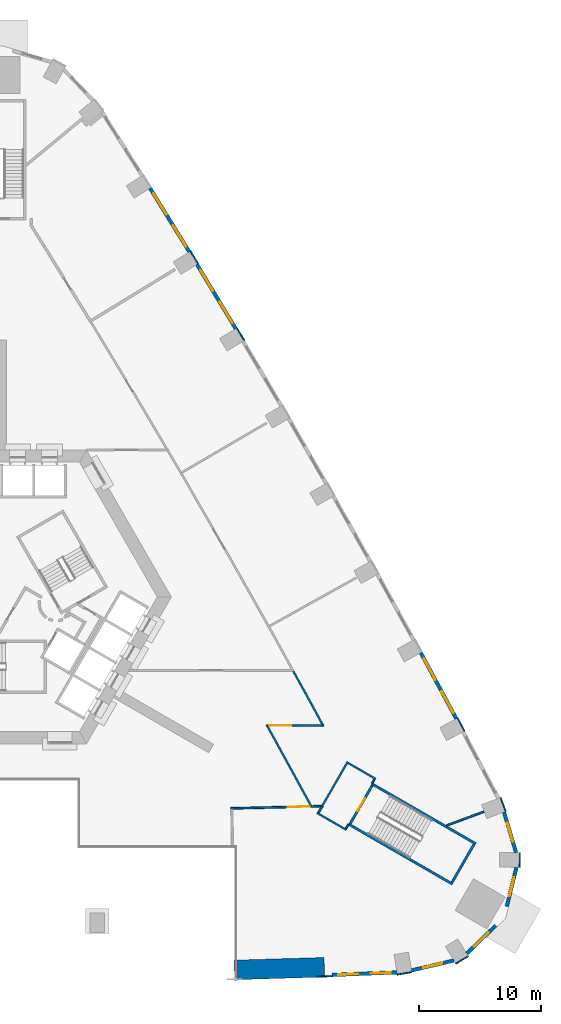
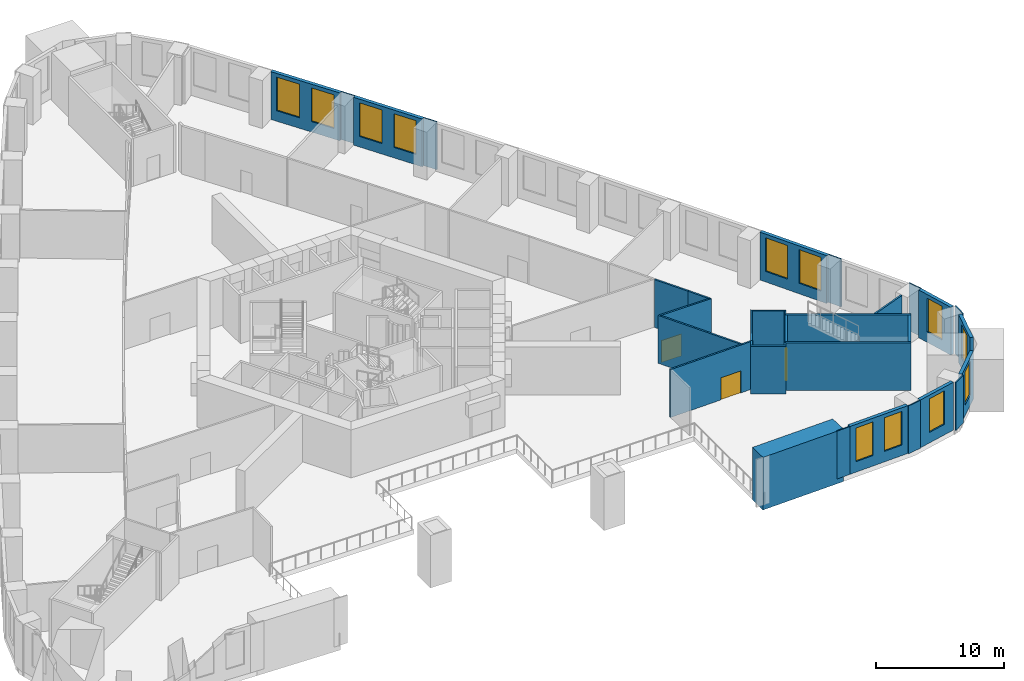
# One storey, part 7 of 16: 33 walls, 12 windows, 3 doors, 15 openings.
"""IFC4 building model written with IfcOpenShell, lengths in metres."""

from ifc_helpers import new_model, si_unit, direction, frame, frame_2d, origin, place, context, subcontext, project, spatial, polyline, rectangle, outline, extrude, material, layer, layer_set, type_object, element, fill, save


model = new_model("IFC4")

# Units and contexts
model_context = context("Model", 3, precision=1e-05, world=origin(), true_north=direction((0.0, 1.0)))
body_context = subcontext(model_context, "Body", "Model", "MODEL_VIEW")
ifc_project = project(units=[si_unit("LENGTHUNIT", "METRE"), si_unit("AREAUNIT", "SQUARE_METRE"), si_unit("VOLUMEUNIT", "CUBIC_METRE"), si_unit("PLANEANGLEUNIT", "RADIAN"), si_unit("MASSUNIT", "GRAM", prefix="KILO")], contexts=[model_context])

# Site, building, storey
site_placement = place(None, origin())
site = spatial("IfcSite", under=ifc_project, at=site_placement, CompositionType="ELEMENT")
building_placement = place(site_placement, origin())
building = spatial("IfcBuilding", under=site, at=building_placement, Name="Entoto Arch Interchange Tower", CompositionType="ELEMENT")
storey_placement = place(building_placement, frame((0.0, 0.0, 25.0)))
storey = spatial("IfcBuildingStorey", under=building, at=storey_placement, Name="L04", CompositionType="ELEMENT", Elevation=25.0)

# Walls
ifc_material_1 = material(Name="Concrete C60/75", Category="concrete")
ifc_layer_1 = layer(ifc_material_1, 1.60009765625)
ifc_layer_set_1 = layer_set([ifc_layer_1], Name="Concrete C60/75")
wall_type_1 = type_object("IfcWallType", Name="Arch leg wall 1600 C60/75", PredefinedType="SHEAR", material=ifc_layer_set_1)
wall_1_placement = place(storey_placement, frame((0.0, 0.0, -0.449951171875)))
element("IfcWall", 1, at=wall_1_placement, inside=storey, type_object=wall_type_1, Name="Arch leg E L04", PredefinedType="SHEAR", context=body_context, shape_type="SweptSolid", body=[
    extrude(outline(polyline([(19.0, -28.761962890625), (26.376953125, -28.5400390625), (26.321044921875, -26.94091796875), (18.97607421875, -27.162109375), (19.0, -28.761962890625)])), origin(), (0.0, 0.0, 1.0), 5.0),
])
ifc_material_2 = material(Name="Gypsum board partition on steel studs", Category="steel")
ifc_layer_2 = layer(ifc_material_2, 0.14990234375)
ifc_layer_set_2 = layer_set([ifc_layer_2], Name="Gypsum board partition on steel studs")
wall_type_2 = type_object("IfcWallType", Name="PARTITION 150", PredefinedType="PARTITIONING", material=ifc_layer_set_2)
wall_2_placement = place(storey_placement, frame((36.333984375, -16.16796875, 0.0), z_axis=(0.0, 0.0, 1.0), x_axis=(0.937400028274, 0.348254485961, 0.0)))
element("IfcWall", 2, at=wall_2_placement, inside=storey, type_object=wall_type_2, Name="wall:L04:p038", PredefinedType="PARTITIONING", context=body_context, shape_type="SweptSolid", body=[
    extrude(rectangle(XDim=3.247314453125, YDim=0.14990234375, at=frame_2d((1.62353515625, 0.0))), origin(), (0.0, 0.0, 1.0), 4.550048828125),
])

# Wall, opening, door
wall_3_placement = place(storey_placement, frame((18.715087890625, -14.76611328125, 0.0), z_axis=(0.0, 0.0, 1.0), x_axis=(0.999706996131, 0.024205823405, 0.0)))
wall_3 = element("IfcWall", 3, at=wall_3_placement, inside=storey, type_object=wall_type_2, Name="wall:L04:p039", PredefinedType="PARTITIONING", context=body_context, shape_type="SweptSolid", body=[
    extrude(rectangle(XDim=7.524169921875, YDim=0.14990234375, at=frame_2d((3.76220703125, 0.0))), origin(), (0.0, 0.0, 1.0), 4.550048828125),
])
opening_1_placement = place(wall_3_placement, frame((4.625, 0.0, 0.0)))
opening_1 = element("IfcOpeningElement", 4, at=opening_1_placement, cuts=wall_3, Name="Opening L04-D06", PredefinedType="OPENING", context=body_context, shape_type="SweptSolid", body=[
    extrude(rectangle(XDim=1.800048828125, YDim=2.10009765625, at=frame_2d((0.89990234375, 1.050048828125))), frame((0.0, 0.0849609375, 0.0), z_axis=(0.0, -1.0, 0.0), x_axis=(1.0, 0.0, 0.0)), (0.0, 0.0, 1.0), 0.169921875),
])
ifc_material_3 = material(Name="Timber door leaf in Steel S235 frame", Category="steel")
door_type_1 = type_object("IfcDoorType", Name="DOOR DD-18 1800x2100", OperationType="DOUBLE_DOOR_SINGLE_SWING", PredefinedType="DOOR", material=ifc_material_3)
door_1_placement = place(opening_1_placement, origin())
door_1 = element("IfcDoor", 5, at=door_1_placement, inside=storey, type_object=door_type_1, Name="door:L04:06", OperationType="DOUBLE_DOOR_SINGLE_SWING", OverallHeight=2.10009765625, OverallWidth=1.800048828125, PredefinedType="DOOR", context=body_context, shape_type="SweptSolid", body=[
    extrude(rectangle(XDim=1.800048828125, YDim=2.10009765625, at=frame_2d((0.89990234375, 1.050048828125))), frame((0.0, 0.02490234375, 0.0), z_axis=(0.0, -1.0, 0.0), x_axis=(1.0, 0.0, 0.0)), (0.0, 0.0, 1.0), 0.050048828125),
])
fill(opening_1, door_1)

# Walls
wall_4_placement = place(storey_placement, frame((26.162109375, -14.5859375, 0.0), z_axis=(0.0, 0.0, 1.0), x_axis=(-0.499849787464, -0.866112111665, 0.0)))
element("IfcWall", 6, at=wall_4_placement, inside=storey, type_object=wall_type_2, Name="wall:L04:p040", PredefinedType="PARTITIONING", context=body_context, shape_type="SweptSolid", body=[
    extrude(rectangle(XDim=0.608642578125, YDim=0.14990234375, at=frame_2d((0.30419921875, 0.0))), origin(), (0.0, 0.0, 1.0), 4.550048828125),
])
wall_5_placement = place(storey_placement, frame((25.7548828125, -15.14111328125, 0.0), z_axis=(0.0, 0.0, 1.0), x_axis=(0.866263914087, -0.499586660302, 0.0)))
element("IfcWall", 7, at=wall_5_placement, inside=storey, type_object=wall_type_2, Name="wall:L04:p041", PredefinedType="PARTITIONING", context=body_context, shape_type="SweptSolid", body=[
    extrude(rectangle(XDim=2.749755859375, YDim=0.14990234375, at=frame_2d((1.375, 0.0))), origin(), (0.0, 0.0, 1.0), 4.550048828125),
])
wall_6_placement = place(storey_placement, frame((28.110107421875, -16.4130859375, 0.0), z_axis=(0.0, 0.0, 1.0), x_axis=(0.498310290291, 0.866998762739, 0.0)))
element("IfcWall", 8, at=wall_6_placement, inside=storey, type_object=wall_type_2, Name="wall:L04:p042", PredefinedType="PARTITIONING", context=body_context, shape_type="SweptSolid", body=[
    extrude(rectangle(XDim=0.3994140625, YDim=0.14990234375, at=frame_2d((0.19970703125, 0.0))), origin(), (0.0, 0.0, 1.0), 4.550048828125),
])
wall_7_placement = place(storey_placement, frame((25.2890625, -14.60693359375, 0.0), z_axis=(0.0, 0.0, 1.0), x_axis=(-0.480597861754, 0.876941101373, 0.0)))
element("IfcWall", 9, at=wall_7_placement, inside=storey, type_object=wall_type_2, Name="wall:L04:p045", PredefinedType="PARTITIONING", context=body_context, shape_type="SweptSolid", body=[
    extrude(rectangle(XDim=7.609130859375, YDim=0.14990234375, at=frame_2d((3.8046875, 0.0))), origin(), (0.0, 0.0, 1.0), 4.550048828125),
])

# Wall, opening, door
wall_8_placement = place(storey_placement, frame((21.742919921875, -8.0, 0.0), z_axis=(0.0, 0.0, 1.0), x_axis=(1.0, 0.0, 0.0)))
wall_8 = element("IfcWall", 10, at=wall_8_placement, inside=storey, type_object=wall_type_2, Name="wall:L04:p046", PredefinedType="PARTITIONING", context=body_context, shape_type="SweptSolid", body=[
    extrude(rectangle(XDim=4.571044921875, YDim=0.14990234375, at=frame_2d((2.28564453125, 0.0))), origin(), (0.0, 0.0, 1.0), 4.550048828125),
])
opening_2_placement = place(wall_8_placement, frame((0.10009765625, 0.0, 0.0)))
opening_2 = element("IfcOpeningElement", 11, at=opening_2_placement, cuts=wall_8, Name="Opening L04-D07", PredefinedType="OPENING", context=body_context, shape_type="SweptSolid", body=[
    extrude(rectangle(XDim=1.800048828125, YDim=2.10009765625, at=frame_2d((0.89990234375, 1.050048828125))), frame((0.0, 0.0849609375, 0.0), z_axis=(0.0, -1.0, 0.0), x_axis=(1.0, 0.0, 0.0)), (0.0, 0.0, 1.0), 0.169921875),
])
door_2_placement = place(opening_2_placement, origin())
door_2 = element("IfcDoor", 12, at=door_2_placement, inside=storey, type_object=door_type_1, Name="door:L04:07", OperationType="DOUBLE_DOOR_SINGLE_SWING", OverallHeight=2.10009765625, OverallWidth=1.800048828125, PredefinedType="DOOR", context=body_context, shape_type="SweptSolid", body=[
    extrude(rectangle(XDim=1.800048828125, YDim=2.10009765625, at=frame_2d((0.89990234375, 1.050048828125))), frame((0.0, 0.02490234375, 0.0), z_axis=(0.0, -1.0, 0.0), x_axis=(1.0, 0.0, 0.0)), (0.0, 0.0, 1.0), 0.050048828125),
])
fill(opening_2, door_2)

# Walls
wall_9_placement = place(storey_placement, frame((26.202880859375, -7.93408203125, 0.0), z_axis=(0.0, 0.0, 1.0), x_axis=(-0.474533012185, 0.880237706728, 0.0)))
element("IfcWall", 13, at=wall_9_placement, inside=storey, type_object=wall_type_2, Name="wall:L04:p047", PredefinedType="PARTITIONING", context=body_context, shape_type="SweptSolid", body=[
    extrude(rectangle(XDim=1.91552734375, YDim=0.14990234375, at=frame_2d((0.957763671875, 0.0))), origin(), (0.0, 0.0, 1.0), 4.550048828125),
])
wall_10_placement = place(storey_placement, frame((30.235107421875, -12.73291015625, 0.0), z_axis=(0.0, 0.0, 1.0), x_axis=(0.499352927503, 0.866398669086, 0.0)))
element("IfcWall", 14, at=wall_10_placement, inside=storey, type_object=wall_type_2, Name="wall:L04:p048", PredefinedType="PARTITIONING", context=body_context, shape_type="SweptSolid", body=[
    extrude(rectangle(XDim=0.400390625, YDim=0.14990234375, at=frame_2d((0.2001953125, 0.0))), origin(), (0.0, 0.0, 1.0), 4.550048828125),
])
wall_11_placement = place(storey_placement, frame((30.537109375, -12.35791015625, 0.0), z_axis=(0.0, 0.0, 1.0), x_axis=(-0.866108986466, 0.499855202596, 0.0)))
element("IfcWall", 15, at=wall_11_placement, inside=storey, type_object=wall_type_2, Name="wall:L04:p049", PredefinedType="PARTITIONING", context=body_context, shape_type="SweptSolid", body=[
    extrude(rectangle(XDim=2.600341796875, YDim=0.14990234375, at=frame_2d((1.30029296875, 0.0))), origin(), (0.0, 0.0, 1.0), 4.550048828125),
])
wall_12_placement = place(storey_placement, frame((28.257080078125, -10.9560546875, 0.0), z_axis=(0.0, 0.0, 1.0), x_axis=(-0.49986701167, -0.866102171019, 0.0)))
element("IfcWall", 16, at=wall_12_placement, inside=storey, type_object=wall_type_2, Name="wall:L04:p050", PredefinedType="PARTITIONING", context=body_context, shape_type="SweptSolid", body=[
    extrude(rectangle(XDim=4.191162109375, YDim=0.14990234375, at=frame_2d((2.095703125, 0.0))), origin(), (0.0, 0.0, 1.0), 4.550048828125),
])
wall_13_placement = place(storey_placement, frame((23.81298828125, -3.56591796875, 0.0), z_axis=(0.0, 0.0, 1.0), x_axis=(0.483368016909, -0.875417249219, 0.0)))
element("IfcWall", 17, at=wall_13_placement, inside=storey, type_object=wall_type_2, Name="wall:L04:p051", PredefinedType="PARTITIONING", context=body_context, shape_type="SweptSolid", body=[
    extrude(rectangle(XDim=3.063720703125, YDim=0.14990234375, at=frame_2d((1.53173828125, 0.0))), origin(), (0.0, 0.0, 1.0), 4.550048828125),
])
ifc_material_4 = material(Name="Concrete C40/50", Category="concrete")
ifc_layer_3 = layer(ifc_material_4, 0.199951171875)
ifc_layer_set_3 = layer_set([ifc_layer_3], Name="Concrete C40/50")
wall_type_3 = type_object("IfcWallType", Name="STAIR ENCLOSURE WALL 200", PredefinedType="STANDARD", material=ifc_layer_set_3)
for number, where, z_axis, x_axis, name in (
    (18, (28.322021484375, -16.044921875, 0.0), (0.0, 0.0, 1.0), (0.866019227021, -0.500010698315, 0.0), "Stair wall PST-SE left"),
    (19, (30.221923828125, -12.7548828125, 0.0), (0.0, 0.0, 1.0), (0.866019227021, -0.500010698315, 0.0), "Stair wall PST-SE right"),
):
    element("IfcWall", number, at=place(storey_placement, frame(where, z_axis=z_axis, x_axis=x_axis)), inside=storey, type_object=wall_type_3, Name=name, PredefinedType="STANDARD", context=body_context, shape_type="SweptSolid", body=[
        extrude(rectangle(XDim=9.800048828125, YDim=0.199951171875, at=frame_2d((4.89990234375, 0.0))), origin(), (0.0, 0.0, 1.0), 4.550048828125),
    ])

# Wall, opening, door
wall_14_placement = place(storey_placement, frame((28.4580078125, -16.009033203125, 0.0), z_axis=(0.0, 0.0, 1.0), x_axis=(0.499982693035, 0.866035395735, 0.0)))
wall_14 = element("IfcWall", 20, at=wall_14_placement, inside=storey, type_object=wall_type_3, Name="Stair wall PST-SE near", PredefinedType="STANDARD", context=body_context, shape_type="SweptSolid", body=[
    extrude(rectangle(XDim=3.600341796875, YDim=0.199951171875, at=frame_2d((1.80029296875, 0.0))), origin(), (0.0, 0.0, 1.0), 4.550048828125),
])
opening_3_placement = place(wall_14_placement, frame((1.199951171875, 0.0, 0.0)))
opening_3 = element("IfcOpeningElement", 21, at=opening_3_placement, cuts=wall_14, Name="Opening SD-PST-SE-L04", PredefinedType="OPENING", context=body_context, shape_type="SweptSolid", body=[
    extrude(rectangle(XDim=1.199951171875, YDim=2.199951171875, at=frame_2d((0.60009765625, 1.10009765625))), frame((0.0, 0.10986328125, 0.0), z_axis=(0.0, -1.0, 0.0), x_axis=(1.0, 0.0, 0.0)), (0.0, 0.0, 1.0), 0.219970703125),
])
ifc_material_5 = material(Name="Steel S235", Category="steel")
door_type_2 = type_object("IfcDoorType", Name="STAIR DOOR SD2 1200x2200", OperationType="SINGLE_SWING_LEFT", PredefinedType="DOOR", material=ifc_material_5)
door_3_placement = place(opening_3_placement, origin())
door_3 = element("IfcDoor", 22, at=door_3_placement, inside=storey, type_object=door_type_2, Name="Stair door PST-SE L04", OperationType="SINGLE_SWING_LEFT", OverallHeight=2.199951171875, OverallWidth=1.199951171875, PredefinedType="DOOR", context=body_context, shape_type="SweptSolid", body=[
    extrude(rectangle(XDim=1.199951171875, YDim=2.199951171875, at=frame_2d((0.60009765625, 1.10009765625))), frame((0.0, 0.02490234375, 0.0), z_axis=(0.0, -1.0, 0.0), x_axis=(1.0, 0.0, 0.0)), (0.0, 0.0, 1.0), 0.050048828125),
])
fill(opening_3, door_3)

# Wall
wall_15_placement = place(storey_placement, frame((36.77197265625, -20.80908203125, 0.0), z_axis=(0.0, 0.0, 1.0), x_axis=(0.49995333141, 0.866052346231, 0.0)))
element("IfcWall", 23, at=wall_15_placement, inside=storey, type_object=wall_type_3, Name="Stair wall PST-SE far", PredefinedType="STANDARD", context=body_context, shape_type="SweptSolid", body=[
    extrude(rectangle(XDim=3.600341796875, YDim=0.199951171875, at=frame_2d((1.80029296875, 0.0))), origin(), (0.0, 0.0, 1.0), 4.550048828125),
])

# Wall, openings, windows
ifc_material_6 = material(Name="Welded tuff (ignimbrite) cladding, warm buff", Category="masonry")
ifc_layer_4 = layer(ifc_material_6, 0.300048828125)
ifc_layer_set_4 = layer_set([ifc_layer_4], Name="Welded tuff (ignimbrite) cladding, warm buff")
wall_type_4 = type_object("IfcWallType", Name="STONE INFILL WALL 300", PredefinedType="STANDARD", material=ifc_layer_set_4)
wall_16_placement = place(storey_placement, frame((26.969970703125, -28.366943359375, 0.0), z_axis=(0.0, 0.0, 1.0), x_axis=(0.999234205654, 0.039128023863, 0.0)))
wall_16 = element("IfcWall", 24, at=wall_16_placement, inside=storey, type_object=wall_type_4, Name="Facade wall S-05 L04", PredefinedType="STANDARD", context=body_context, shape_type="SweptSolid", body=[
    extrude(rectangle(XDim=5.316162109375, YDim=0.300048828125, at=frame_2d((2.658203125, 0.0))), origin(), (0.0, 0.0, 1.0), 4.550048828125),
])
opening_4_placement = place(wall_16_placement, frame((0.529052734375, 0.0, 1.0)))
opening_4 = element("IfcOpeningElement", 25, at=opening_4_placement, cuts=wall_16, Name="Opening WP-C", PredefinedType="OPENING", context=body_context, shape_type="SweptSolid", body=[
    extrude(rectangle(XDim=1.60009765625, YDim=3.199951171875, at=frame_2d((0.800048828125, 1.60009765625))), frame((0.0, 0.16015625, 0.0), z_axis=(0.0, -1.0, 0.0), x_axis=(1.0, 0.0, 0.0)), (0.0, 0.0, 1.0), 0.320068359375),
])
opening_5_placement = place(wall_16_placement, frame((3.18701171875, 0.0, 1.0)))
opening_5 = element("IfcOpeningElement", 26, at=opening_5_placement, cuts=wall_16, Name="Opening WP-C", PredefinedType="OPENING", context=body_context, shape_type="SweptSolid", body=[
    extrude(rectangle(XDim=1.60009765625, YDim=3.199951171875, at=frame_2d((0.800048828125, 1.60009765625))), frame((0.0, 0.16015625, 0.0), z_axis=(0.0, -1.0, 0.0), x_axis=(1.0, 0.0, 0.0)), (0.0, 0.0, 1.0), 0.320068359375),
])
ifc_material_7 = material(Name="Clear glass, low-e double glazed", Category="glass")
window_type_1 = type_object("IfcWindowType", Name="WINDOW WP-C 1600x3200", PartitioningType="DOUBLE_PANEL_VERTICAL", PredefinedType="WINDOW", material=ifc_material_7)
window_1_placement = place(opening_4_placement, origin())
window_1 = element("IfcWindow", 27, at=window_1_placement, inside=storey, type_object=window_type_1, Name="Window WP-C S-05 L04", OverallHeight=3.199951171875, OverallWidth=1.60009765625, PartitioningType="SINGLE_PANEL", PredefinedType="WINDOW", context=body_context, shape_type="SweptSolid", body=[
    extrude(rectangle(XDim=1.60009765625, YDim=3.199951171875, at=frame_2d((0.800048828125, 1.60009765625))), frame((0.0, 0.030029296875, 0.0), z_axis=(0.0, -1.0, 0.0), x_axis=(1.0, 0.0, 0.0)), (0.0, 0.0, 1.0), 0.06005859375),
])
fill(opening_4, window_1)
window_2_placement = place(opening_5_placement, origin())
window_2 = element("IfcWindow", 28, at=window_2_placement, inside=storey, type_object=window_type_1, Name="Window WP-C S-05 L04", OverallHeight=3.199951171875, OverallWidth=1.60009765625, PartitioningType="SINGLE_PANEL", PredefinedType="WINDOW", context=body_context, shape_type="SweptSolid", body=[
    extrude(rectangle(XDim=1.60009765625, YDim=3.199951171875, at=frame_2d((0.800048828125, 1.60009765625))), frame((0.0, 0.030029296875, 0.0), z_axis=(0.0, -1.0, 0.0), x_axis=(1.0, 0.0, 0.0)), (0.0, 0.0, 1.0), 0.06005859375),
])
fill(opening_5, window_2)

# Wall, opening, window
wall_17_placement = place(storey_placement, frame((33.469970703125, -27.9990234375, 0.0), z_axis=(0.0, 0.0, 1.0), x_axis=(0.97357041301, 0.228387063799, 0.0)))
wall_17 = element("IfcWall", 29, at=wall_17_placement, inside=storey, type_object=wall_type_4, Name="Facade wall SE-01 L04", PredefinedType="STANDARD", context=body_context, shape_type="SweptSolid", body=[
    extrude(rectangle(XDim=3.546875, YDim=0.300048828125, at=frame_2d((1.7734375, 0.0))), origin(), (0.0, 0.0, 1.0), 4.550048828125),
])
opening_6_placement = place(wall_17_placement, frame((0.972900390625, 0.0, 1.0)))
opening_6 = element("IfcOpeningElement", 30, at=opening_6_placement, cuts=wall_17, Name="Opening WP-C", PredefinedType="OPENING", context=body_context, shape_type="SweptSolid", body=[
    extrude(rectangle(XDim=1.60009765625, YDim=3.199951171875, at=frame_2d((0.800048828125, 1.60009765625))), frame((0.0, 0.16015625, 0.0), z_axis=(0.0, -1.0, 0.0), x_axis=(1.0, 0.0, 0.0)), (0.0, 0.0, 1.0), 0.320068359375),
])
window_3_placement = place(opening_6_placement, origin())
window_3 = element("IfcWindow", 31, at=window_3_placement, inside=storey, type_object=window_type_1, Name="Window WP-C SE-01 L04", OverallHeight=3.199951171875, OverallWidth=1.60009765625, PartitioningType="SINGLE_PANEL", PredefinedType="WINDOW", context=body_context, shape_type="SweptSolid", body=[
    extrude(rectangle(XDim=1.60009765625, YDim=3.199951171875, at=frame_2d((0.800048828125, 1.60009765625))), frame((0.0, 0.030029296875, 0.0), z_axis=(0.0, -1.0, 0.0), x_axis=(1.0, 0.0, 0.0)), (0.0, 0.0, 1.0), 0.06005859375),
])
fill(opening_6, window_3)

wall_18_placement = place(storey_placement, frame((37.97998046875, -26.62109375, 0.0), z_axis=(0.0, 0.0, 1.0), x_axis=(0.717527250225, 0.696530433782, 0.0)))
wall_18 = element("IfcWall", 32, at=wall_18_placement, inside=storey, type_object=wall_type_4, Name="Facade wall SE-02 L04", PredefinedType="STANDARD", context=body_context, shape_type="SweptSolid", body=[
    extrude(rectangle(XDim=3.29052734375, YDim=0.300048828125, at=frame_2d((1.645263671875, 0.0))), origin(), (0.0, 0.0, 1.0), 4.550048828125),
])
opening_7_placement = place(wall_18_placement, frame((0.844970703125, 0.0, 1.0)))
opening_7 = element("IfcOpeningElement", 33, at=opening_7_placement, cuts=wall_18, Name="Opening WP-C", PredefinedType="OPENING", context=body_context, shape_type="SweptSolid", body=[
    extrude(rectangle(XDim=1.60009765625, YDim=3.199951171875, at=frame_2d((0.800048828125, 1.60009765625))), frame((0.0, 0.16015625, 0.0), z_axis=(0.0, -1.0, 0.0), x_axis=(1.0, 0.0, 0.0)), (0.0, 0.0, 1.0), 0.320068359375),
])
window_4_placement = place(opening_7_placement, origin())
window_4 = element("IfcWindow", 34, at=window_4_placement, inside=storey, type_object=window_type_1, Name="Window WP-C SE-02 L04", OverallHeight=3.199951171875, OverallWidth=1.60009765625, PartitioningType="SINGLE_PANEL", PredefinedType="WINDOW", context=body_context, shape_type="SweptSolid", body=[
    extrude(rectangle(XDim=1.60009765625, YDim=3.199951171875, at=frame_2d((0.800048828125, 1.60009765625))), frame((0.0, 0.030029296875, 0.0), z_axis=(0.0, -1.0, 0.0), x_axis=(1.0, 0.0, 0.0)), (0.0, 0.0, 1.0), 0.06005859375),
])
fill(opening_7, window_4)

wall_19_placement = place(storey_placement, frame((41.239990234375, -22.77197265625, 0.0), z_axis=(0.0, 0.0, 1.0), x_axis=(0.244315836028, 0.969695711172, 0.0)))
wall_19 = element("IfcWall", 35, at=wall_19_placement, inside=storey, type_object=wall_type_4, Name="Facade wall SE-03 L04", PredefinedType="STANDARD", context=body_context, shape_type="SweptSolid", body=[
    extrude(rectangle(XDim=3.29052734375, YDim=0.300048828125, at=frame_2d((1.645263671875, 0.0))), origin(), (0.0, 0.0, 1.0), 4.550048828125),
])
opening_8_placement = place(wall_19_placement, frame((0.844970703125, 0.0, 1.0)))
opening_8 = element("IfcOpeningElement", 36, at=opening_8_placement, cuts=wall_19, Name="Opening WP-C", PredefinedType="OPENING", context=body_context, shape_type="SweptSolid", body=[
    extrude(rectangle(XDim=1.60009765625, YDim=3.199951171875, at=frame_2d((0.800048828125, 1.60009765625))), frame((0.0, 0.16015625, 0.0), z_axis=(0.0, -1.0, 0.0), x_axis=(1.0, 0.0, 0.0)), (0.0, 0.0, 1.0), 0.320068359375),
])
window_5_placement = place(opening_8_placement, origin())
window_5 = element("IfcWindow", 37, at=window_5_placement, inside=storey, type_object=window_type_1, Name="Window WP-C SE-03 L04", OverallHeight=3.199951171875, OverallWidth=1.60009765625, PartitioningType="SINGLE_PANEL", PredefinedType="WINDOW", context=body_context, shape_type="SweptSolid", body=[
    extrude(rectangle(XDim=1.60009765625, YDim=3.199951171875, at=frame_2d((0.800048828125, 1.60009765625))), frame((0.0, 0.030029296875, 0.0), z_axis=(0.0, -1.0, 0.0), x_axis=(1.0, 0.0, 0.0)), (0.0, 0.0, 1.0), 0.06005859375),
])
fill(opening_8, window_5)

wall_20_placement = place(storey_placement, frame((42.010986328125, -18.382080078125, 0.0), z_axis=(0.0, 0.0, 1.0), x_axis=(-0.285800575124, 0.958289116738, 0.0)))
wall_20 = element("IfcWall", 38, at=wall_20_placement, inside=storey, type_object=wall_type_4, Name="Facade wall SE-04 L04", PredefinedType="STANDARD", context=body_context, shape_type="SweptSolid", body=[
    extrude(rectangle(XDim=3.46044921875, YDim=0.300048828125, at=frame_2d((1.730224609375, 0.0))), origin(), (0.0, 0.0, 1.0), 4.550048828125),
])
opening_9_placement = place(wall_20_placement, frame((0.929931640625, 0.0, 1.0)))
opening_9 = element("IfcOpeningElement", 39, at=opening_9_placement, cuts=wall_20, Name="Opening WP-C", PredefinedType="OPENING", context=body_context, shape_type="SweptSolid", body=[
    extrude(rectangle(XDim=1.60009765625, YDim=3.199951171875, at=frame_2d((0.800048828125, 1.60009765625))), frame((0.0, 0.16015625, 0.0), z_axis=(0.0, -1.0, 0.0), x_axis=(1.0, 0.0, 0.0)), (0.0, 0.0, 1.0), 0.320068359375),
])
window_6_placement = place(opening_9_placement, origin())
window_6 = element("IfcWindow", 40, at=window_6_placement, inside=storey, type_object=window_type_1, Name="Window WP-C SE-04 L04", OverallHeight=3.199951171875, OverallWidth=1.60009765625, PartitioningType="SINGLE_PANEL", PredefinedType="WINDOW", context=body_context, shape_type="SweptSolid", body=[
    extrude(rectangle(XDim=1.60009765625, YDim=3.199951171875, at=frame_2d((0.800048828125, 1.60009765625))), frame((0.0, 0.030029296875, 0.0), z_axis=(0.0, -1.0, 0.0), x_axis=(1.0, 0.0, 0.0)), (0.0, 0.0, 1.0), 0.06005859375),
])
fill(opening_9, window_6)

# Wall, openings, windows
wall_21_placement = place(storey_placement, frame((37.131103515625, -7.446044921875, 0.0), z_axis=(0.0, 0.0, 1.0), x_axis=(-0.474584950749, 0.880209704856, 0.0)))
wall_21 = element("IfcWall", 41, at=wall_21_placement, inside=storey, type_object=wall_type_4, Name="Facade wall NE-02 L04", PredefinedType="STANDARD", context=body_context, shape_type="SweptSolid", body=[
    extrude(rectangle(XDim=6.12109375, YDim=0.300048828125, at=frame_2d((3.060546875, 0.0))), origin(), (0.0, 0.0, 1.0), 4.550048828125),
])
opening_10_placement = place(wall_21_placement, frame((0.530029296875, 0.0, 1.0)))
opening_10 = element("IfcOpeningElement", 42, at=opening_10_placement, cuts=wall_21, Name="Opening WP-E", PredefinedType="OPENING", context=body_context, shape_type="SweptSolid", body=[
    extrude(rectangle(XDim=2.0, YDim=3.199951171875, at=frame_2d((1.0, 1.60009765625))), frame((0.0, 0.16015625, 0.0), z_axis=(0.0, -1.0, 0.0), x_axis=(1.0, 0.0, 0.0)), (0.0, 0.0, 1.0), 0.320068359375),
])
opening_11_placement = place(wall_21_placement, frame((3.591064453125, 0.0, 1.0)))
opening_11 = element("IfcOpeningElement", 43, at=opening_11_placement, cuts=wall_21, Name="Opening WP-E", PredefinedType="OPENING", context=body_context, shape_type="SweptSolid", body=[
    extrude(rectangle(XDim=2.0, YDim=3.199951171875, at=frame_2d((1.0, 1.60009765625))), frame((0.0, 0.16015625, 0.0), z_axis=(0.0, -1.0, 0.0), x_axis=(1.0, 0.0, 0.0)), (0.0, 0.0, 1.0), 0.320068359375),
])
window_type_2 = type_object("IfcWindowType", Name="WINDOW WP-E 2000x3200", PartitioningType="DOUBLE_PANEL_VERTICAL", PredefinedType="WINDOW", material=ifc_material_7)
window_7_placement = place(opening_10_placement, origin())
window_7 = element("IfcWindow", 44, at=window_7_placement, inside=storey, type_object=window_type_2, Name="Window WP-E NE-02 L04", OverallHeight=3.199951171875, OverallWidth=2.0, PartitioningType="SINGLE_PANEL", PredefinedType="WINDOW", context=body_context, shape_type="SweptSolid", body=[
    extrude(rectangle(XDim=2.0, YDim=3.199951171875, at=frame_2d((1.0, 1.60009765625))), frame((0.0, 0.030029296875, 0.0), z_axis=(0.0, -1.0, 0.0), x_axis=(1.0, 0.0, 0.0)), (0.0, 0.0, 1.0), 0.06005859375),
])
fill(opening_10, window_7)
window_8_placement = place(opening_11_placement, origin())
window_8 = element("IfcWindow", 45, at=window_8_placement, inside=storey, type_object=window_type_2, Name="Window WP-E NE-02 L04", OverallHeight=3.199951171875, OverallWidth=2.0, PartitioningType="SINGLE_PANEL", PredefinedType="WINDOW", context=body_context, shape_type="SweptSolid", body=[
    extrude(rectangle(XDim=2.0, YDim=3.199951171875, at=frame_2d((1.0, 1.60009765625))), frame((0.0, 0.030029296875, 0.0), z_axis=(0.0, -1.0, 0.0), x_axis=(1.0, 0.0, 0.0)), (0.0, 0.0, 1.0), 0.06005859375),
])
fill(opening_11, window_8)

wall_22_placement = place(storey_placement, frame((19.116943359375, 24.406005859375, 0.0), z_axis=(0.0, 0.0, 1.0), x_axis=(-0.516687651362, 0.85617397235, 0.0)))
wall_22 = element("IfcWall", 46, at=wall_22_placement, inside=storey, type_object=wall_type_4, Name="Facade wall NE-07 L04", PredefinedType="STANDARD", context=body_context, shape_type="SweptSolid", body=[
    extrude(rectangle(XDim=6.121337890625, YDim=0.300048828125, at=frame_2d((3.060546875, 0.0))), origin(), (0.0, 0.0, 1.0), 4.550048828125),
])
opening_12_placement = place(wall_22_placement, frame((0.530029296875, 0.0, 1.0)))
opening_12 = element("IfcOpeningElement", 47, at=opening_12_placement, cuts=wall_22, Name="Opening WP-E", PredefinedType="OPENING", context=body_context, shape_type="SweptSolid", body=[
    extrude(rectangle(XDim=2.0, YDim=3.199951171875, at=frame_2d((1.0, 1.60009765625))), frame((0.0, 0.16015625, 0.0), z_axis=(0.0, -1.0, 0.0), x_axis=(1.0, 0.0, 0.0)), (0.0, 0.0, 1.0), 0.320068359375),
])
opening_13_placement = place(wall_22_placement, frame((3.591064453125, 0.0, 1.0)))
opening_13 = element("IfcOpeningElement", 48, at=opening_13_placement, cuts=wall_22, Name="Opening WP-E", PredefinedType="OPENING", context=body_context, shape_type="SweptSolid", body=[
    extrude(rectangle(XDim=2.0, YDim=3.199951171875, at=frame_2d((1.0, 1.60009765625))), frame((0.0, 0.16015625, 0.0), z_axis=(0.0, -1.0, 0.0), x_axis=(1.0, 0.0, 0.0)), (0.0, 0.0, 1.0), 0.320068359375),
])
window_9_placement = place(opening_12_placement, origin())
window_9 = element("IfcWindow", 49, at=window_9_placement, inside=storey, type_object=window_type_2, Name="Window WP-E NE-07 L04", OverallHeight=3.199951171875, OverallWidth=2.0, PartitioningType="SINGLE_PANEL", PredefinedType="WINDOW", context=body_context, shape_type="SweptSolid", body=[
    extrude(rectangle(XDim=2.0, YDim=3.199951171875, at=frame_2d((1.0, 1.60009765625))), frame((0.0, 0.030029296875, 0.0), z_axis=(0.0, -1.0, 0.0), x_axis=(1.0, 0.0, 0.0)), (0.0, 0.0, 1.0), 0.06005859375),
])
fill(opening_12, window_9)
window_10_placement = place(opening_13_placement, origin())
window_10 = element("IfcWindow", 50, at=window_10_placement, inside=storey, type_object=window_type_2, Name="Window WP-E NE-07 L04", OverallHeight=3.199951171875, OverallWidth=2.0, PartitioningType="SINGLE_PANEL", PredefinedType="WINDOW", context=body_context, shape_type="SweptSolid", body=[
    extrude(rectangle(XDim=2.0, YDim=3.199951171875, at=frame_2d((1.0, 1.60009765625))), frame((0.0, 0.030029296875, 0.0), z_axis=(0.0, -1.0, 0.0), x_axis=(1.0, 0.0, 0.0)), (0.0, 0.0, 1.0), 0.06005859375),
])
fill(opening_13, window_10)

wall_23_placement = place(storey_placement, frame((15.3310546875, 30.669921875, 0.0), z_axis=(0.0, 0.0, 1.0), x_axis=(-0.524953701886, 0.85113078365, 0.0)))
wall_23 = element("IfcWall", 51, at=wall_23_placement, inside=storey, type_object=wall_type_4, Name="Facade wall NE-08 L04", PredefinedType="STANDARD", context=body_context, shape_type="SweptSolid", body=[
    extrude(rectangle(XDim=6.12255859375, YDim=0.300048828125, at=frame_2d((3.061279296875, 0.0))), origin(), (0.0, 0.0, 1.0), 4.550048828125),
])
opening_14_placement = place(wall_23_placement, frame((0.531005859375, 0.0, 1.0)))
opening_14 = element("IfcOpeningElement", 52, at=opening_14_placement, cuts=wall_23, Name="Opening WP-E", PredefinedType="OPENING", context=body_context, shape_type="SweptSolid", body=[
    extrude(rectangle(XDim=2.0, YDim=3.199951171875, at=frame_2d((1.0, 1.60009765625))), frame((0.0, 0.16015625, 0.0), z_axis=(0.0, -1.0, 0.0), x_axis=(1.0, 0.0, 0.0)), (0.0, 0.0, 1.0), 0.320068359375),
])
opening_15_placement = place(wall_23_placement, frame((3.592041015625, 0.0, 1.0)))
opening_15 = element("IfcOpeningElement", 53, at=opening_15_placement, cuts=wall_23, Name="Opening WP-E", PredefinedType="OPENING", context=body_context, shape_type="SweptSolid", body=[
    extrude(rectangle(XDim=2.0, YDim=3.199951171875, at=frame_2d((1.0, 1.60009765625))), frame((0.0, 0.16015625, 0.0), z_axis=(0.0, -1.0, 0.0), x_axis=(1.0, 0.0, 0.0)), (0.0, 0.0, 1.0), 0.320068359375),
])
window_11_placement = place(opening_14_placement, origin())
window_11 = element("IfcWindow", 54, at=window_11_placement, inside=storey, type_object=window_type_2, Name="Window WP-E NE-08 L04", OverallHeight=3.199951171875, OverallWidth=2.0, PartitioningType="SINGLE_PANEL", PredefinedType="WINDOW", context=body_context, shape_type="SweptSolid", body=[
    extrude(rectangle(XDim=2.0, YDim=3.199951171875, at=frame_2d((1.0, 1.60009765625))), frame((0.0, 0.030029296875, 0.0), z_axis=(0.0, -1.0, 0.0), x_axis=(1.0, 0.0, 0.0)), (0.0, 0.0, 1.0), 0.06005859375),
])
fill(opening_14, window_11)
window_12_placement = place(opening_15_placement, origin())
window_12 = element("IfcWindow", 55, at=window_12_placement, inside=storey, type_object=window_type_2, Name="Window WP-E NE-08 L04", OverallHeight=3.199951171875, OverallWidth=2.0, PartitioningType="SINGLE_PANEL", PredefinedType="WINDOW", context=body_context, shape_type="SweptSolid", body=[
    extrude(rectangle(XDim=2.0, YDim=3.199951171875, at=frame_2d((1.0, 1.60009765625))), frame((0.0, 0.030029296875, 0.0), z_axis=(0.0, -1.0, 0.0), x_axis=(1.0, 0.0, 0.0)), (0.0, 0.0, 1.0), 0.06005859375),
])
fill(opening_15, window_12)

# Walls
ifc_layer_5 = layer(ifc_material_6, 0.10009765625)
ifc_layer_set_5 = layer_set([ifc_layer_5], Name="Welded tuff (ignimbrite) cladding, warm buff")
wall_type_5 = type_object("IfcWallType", Name="STONE PIER CLADDING 100", PredefinedType="STANDARD", material=ifc_layer_set_5)
wall_24_placement = place(storey_placement, frame((41.153076171875, -15.01806640625, 0.0), z_axis=(0.0, 0.0, 1.0), x_axis=(-0.348268249601, 0.937394914814, 0.0)))
element("IfcWall", 56, at=wall_24_placement, inside=storey, type_object=wall_type_5, Name="Stone pier NE01 L04", PredefinedType="STANDARD", context=body_context, shape_type="SweptSolid", body=[
    extrude(rectangle(XDim=1.2001953125, YDim=0.10009765625, at=frame_2d((0.60009765625, 0.0))), origin(), (0.0, 0.0, 1.0), 4.550048828125),
])
wall_25_placement = place(storey_placement, frame((37.784912109375, -8.4560546875, 0.0), z_axis=(0.0, 0.0, 1.0), x_axis=(-0.469383408131, 0.882994459876, 0.0)))
element("IfcWall", 57, at=wall_25_placement, inside=storey, type_object=wall_type_5, Name="Stone pier NE02 L04", PredefinedType="STANDARD", context=body_context, shape_type="SweptSolid", body=[
    extrude(rectangle(XDim=1.199462890625, YDim=0.10009765625, at=frame_2d((0.599609375, 0.0))), origin(), (0.0, 0.0, 1.0), 4.550048828125),
])
wall_26_placement = place(storey_placement, frame((19.820068359375, 23.428955078125, 0.0), z_axis=(0.0, 0.0, 1.0), x_axis=(-0.513238760752, 0.858245870635, 0.0)))
element("IfcWall", 58, at=wall_26_placement, inside=storey, type_object=wall_type_5, Name="Stone pier NE07 L04", PredefinedType="STANDARD", context=body_context, shape_type="SweptSolid", body=[
    extrude(rectangle(XDim=1.2001953125, YDim=0.10009765625, at=frame_2d((0.60009765625, 0.0))), origin(), (0.0, 0.0, 1.0), 4.550048828125),
])
wall_27_placement = place(storey_placement, frame((16.04296875, 29.699951171875, 0.0), z_axis=(0.0, 0.0, 1.0), x_axis=(-0.521507599072, 0.853246637327, 0.0)))
element("IfcWall", 59, at=wall_27_placement, inside=storey, type_object=wall_type_5, Name="Stone pier NE08 L04", PredefinedType="STANDARD", context=body_context, shape_type="SweptSolid", body=[
    extrude(rectangle(XDim=1.200439453125, YDim=0.10009765625, at=frame_2d((0.60009765625, 0.0))), origin(), (0.0, 0.0, 1.0), 4.550048828125),
])
wall_28_placement = place(storey_placement, frame((25.77587890625, -28.510986328125, 0.0), z_axis=(0.0, 0.0, 1.0), x_axis=(0.999387493042, 0.034994838926, 0.0)))
element("IfcWall", 60, at=wall_28_placement, inside=storey, type_object=wall_type_5, Name="Stone pier S05 L04", PredefinedType="STANDARD", context=body_context, shape_type="SweptSolid", body=[
    extrude(rectangle(XDim=1.199951171875, YDim=0.10009765625, at=frame_2d((0.60009765625, 0.0))), origin(), (0.0, 0.0, 1.0), 4.550048828125),
])
wall_29_placement = place(storey_placement, frame((32.31103515625, -28.3349609375, 0.0), z_axis=(0.0, 0.0, 1.0), x_axis=(0.986011774526, 0.166675674579, 0.0)))
element("IfcWall", 61, at=wall_29_placement, inside=storey, type_object=wall_type_5, Name="Stone pier S06 L04", PredefinedType="STANDARD", context=body_context, shape_type="SweptSolid", body=[
    extrude(rectangle(XDim=1.19970703125, YDim=0.10009765625, at=frame_2d((0.599853515625, 0.0))), origin(), (0.0, 0.0, 1.0), 4.550048828125),
])
for number, where, z_axis, x_axis, name in (
    (62, (37.080078125, -27.448974609375, 0.0), (0.0, 0.0, 1.0), (0.854716608594, 0.519094903649, 0.0), "Stone pier SE1 L04"),
    (63, (42.283935546875, -19.587890625, 0.0), (0.0, 0.0, 1.0), (0.023391359968, 0.999726384707, 0.0), "Stone pier SE3 L04"),
):
    element("IfcWall", number, at=place(storey_placement, frame(where, z_axis=z_axis, x_axis=x_axis)), inside=storey, type_object=wall_type_5, Name=name, PredefinedType="STANDARD", context=body_context, shape_type="SweptSolid", body=[
        extrude(rectangle(XDim=1.2001953125, YDim=0.10009765625, at=frame_2d((0.60009765625, 0.0))), origin(), (0.0, 0.0, 1.0), 4.550048828125),
    ])

save(model, "model.ifc")
